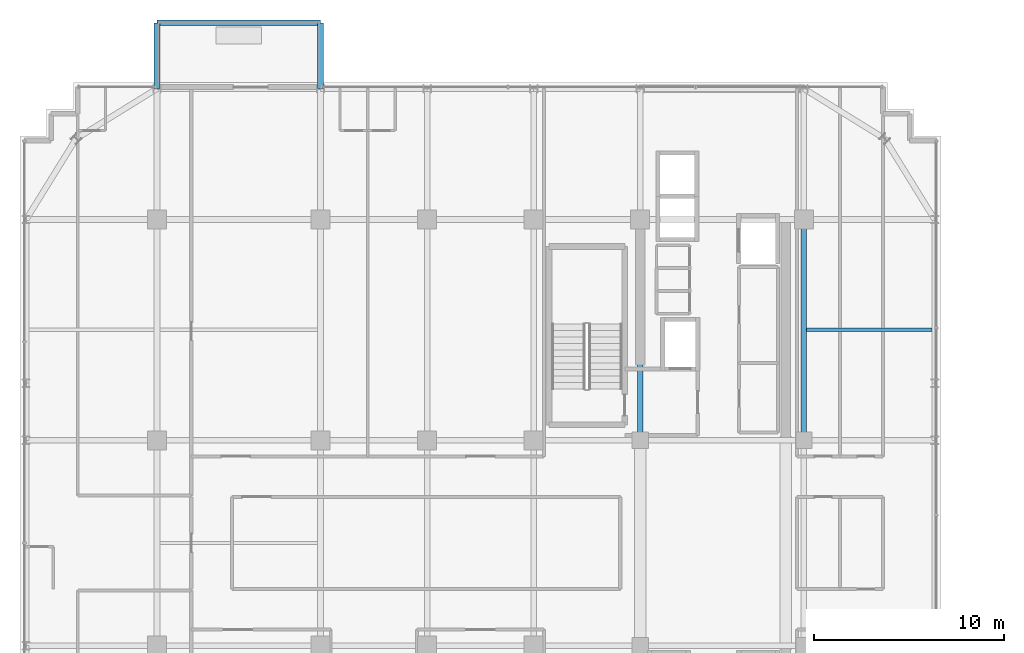
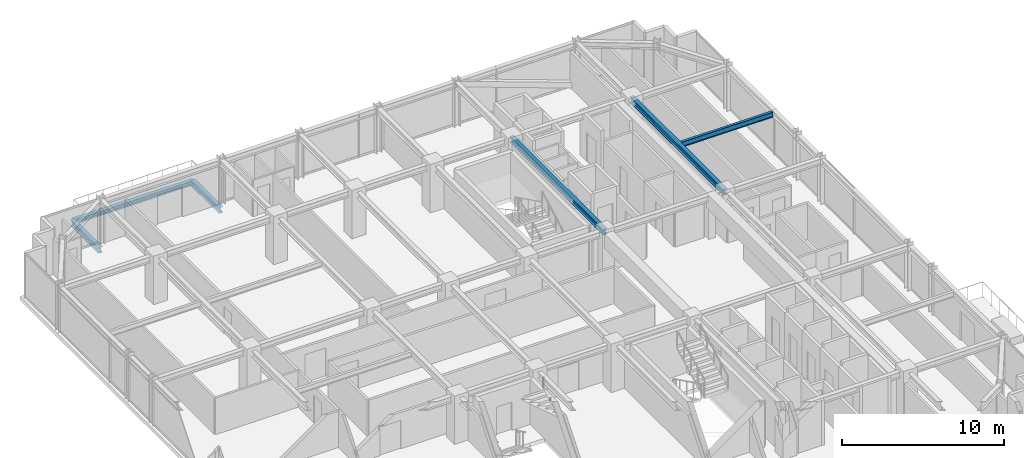
# One storey, part 24 of 36: 6 beams.
"""IFC4 building model written with IfcOpenShell, lengths in metres."""

from ifc_helpers import new_model, si_unit, direction, frame, origin, origin_2d, place, context, subcontext, project, spatial, i_section, extrude, source, transform, mapped, material, material_profile, profile_set, type_object, element, save


model = new_model("IFC4")

# Units and contexts
model_context = context("Model", 3, precision=1e-05, world=origin(), true_north=direction((0.0, 1.0)))
body_context = subcontext(model_context, "Body", "Model", "MODEL_VIEW")
ifc_project = project(units=[si_unit("LENGTHUNIT", "METRE"), si_unit("AREAUNIT", "SQUARE_METRE"), si_unit("VOLUMEUNIT", "CUBIC_METRE"), si_unit("PLANEANGLEUNIT", "RADIAN"), si_unit("MASSUNIT", "GRAM", prefix="KILO")], contexts=[model_context])

# Site, building, storey
site_placement = place(None, origin())
site = spatial("IfcSite", under=ifc_project, at=site_placement, CompositionType="ELEMENT")
building_placement = place(site_placement, origin())
building = spatial("IfcBuilding", under=site, at=building_placement, Name="Nahalor Promenade Grand Hotel", CompositionType="ELEMENT")
storey_placement = place(building_placement, frame((0.0, 0.0, 234.5)))
storey = spatial("IfcBuildingStorey", under=building, at=storey_placement, Name="L60", CompositionType="ELEMENT", Elevation=234.5)

# Beams
ifc_material = material(Name="Steel S355JR", Category="steel")
ifc_material_profile_1 = material_profile(ifc_material, i_section(OverallWidth=0.3, OverallDepth=0.32, WebThickness=0.0115, FlangeThickness=0.0205, at=origin_2d()), Name="HEB 320")
ifc_profile_set_1 = profile_set([ifc_material_profile_1], Name="Steel S355JR")
beam_type_1 = type_object("IfcBeamType", Name="Beam-BalcEdge-HEB320", PredefinedType="SPANDREL", material=ifc_profile_set_1)
shared_shape_1 = source(origin(), body_context, "Body", "SweptSolid", [
    extrude(i_section(OverallWidth=0.3, OverallDepth=0.32, WebThickness=0.0115, FlangeThickness=0.0205, at=origin_2d()), origin(), (0.0, 0.0, 1.0), 8.60009765625),
])
beam_1_placement = place(storey_placement, frame((-17.0, 27.340087890625, -0.43994140625), z_axis=(1.0, 0.0, 0.0), x_axis=(0.0, 1.0, 0.0)))
element("IfcBeam", 1, at=beam_1_placement, inside=storey, type_object=beam_type_1, Name="BM-L60-BC-01-F", PredefinedType="SPANDREL", context=body_context, shape_type="MappedRepresentation", body=[
    mapped(shared_shape_1, transform((0.0, 0.0, 0.0), scale=1.0)),
])
ifc_material_profile_2 = material_profile(ifc_material, i_section(OverallWidth=0.3, OverallDepth=0.45, WebThickness=0.014, FlangeThickness=0.026, at=origin_2d()), Name="HEB 450")
ifc_profile_set_2 = profile_set([ifc_material_profile_2], Name="Steel S355JR")
beam_type_2 = type_object("IfcBeamType", Name="Beam-Outrigger-HEB450", PredefinedType="BEAM", material=ifc_profile_set_2)
shared_shape_2 = source(origin(), body_context, "Body", "SweptSolid", [
    extrude(i_section(OverallWidth=0.3, OverallDepth=0.45, WebThickness=0.014, FlangeThickness=0.026, at=origin_2d()), origin(), (0.0, 0.0, 1.0), 3.460205078125),
])
for number, where, z_axis, x_axis, name in (
    (2, (-17.0, 23.8798828125, -0.5048828125), (0.0, 1.0, 0.0), (-1.0, 0.0, 0.0), "BM-L60-BC-01-1"),
    (3, (-8.39990234375, 23.8798828125, -0.5048828125), (0.0, 1.0, 0.0), (-1.0, 0.0, 0.0), "BM-L60-BC-01-2"),
):
    element("IfcBeam", number, at=place(storey_placement, frame(where, z_axis=z_axis, x_axis=x_axis)), inside=storey, type_object=beam_type_2, Name=name, PredefinedType="BEAM", context=body_context, shape_type="MappedRepresentation", body=[
        mapped(shared_shape_2, transform((0.0, 0.0, 0.0), scale=1.0)),
    ])
ifc_material_profile_3 = material_profile(ifc_material, i_section(OverallWidth=0.3, OverallDepth=0.45, WebThickness=0.014, FlangeThickness=0.026, at=origin_2d()), Name="HEB 450")
ifc_profile_set_3 = profile_set([ifc_material_profile_3], Name="Steel S355JR")
beam_type_3 = type_object("IfcBeamType", Name="Beam-Girder-HEB450", PredefinedType="BEAM", material=ifc_profile_set_3)
shared_shape_3 = source(origin(), body_context, "Body", "SweptSolid", [
    extrude(i_section(OverallWidth=0.3, OverallDepth=0.45, WebThickness=0.014, FlangeThickness=0.026, at=origin_2d()), origin(), (0.0, 0.0, 1.0), 11.60009765625),
])
for number, where, z_axis, x_axis, name in (
    (4, (8.39990234375, 5.39990234375, 3.18505859375), (0.0, 1.0, 0.0), (-1.0, 0.0, 0.0), "BM-L60-GY-4-3"),
    (5, (17.0, 5.39990234375, 3.18505859375), (0.0, 1.0, 0.0), (-1.0, 0.0, 0.0), "BM-L60-GY-5-3"),
):
    element("IfcBeam", number, at=place(storey_placement, frame(where, z_axis=z_axis, x_axis=x_axis)), inside=storey, type_object=beam_type_3, Name=name, PredefinedType="BEAM", context=body_context, shape_type="MappedRepresentation", body=[
        mapped(shared_shape_3, transform((0.0, 0.0, 0.0), scale=1.0)),
    ])
ifc_material_profile_4 = material_profile(ifc_material, i_section(OverallWidth=0.18, OverallDepth=0.4, WebThickness=0.0086, FlangeThickness=0.0135, at=origin_2d()), Name="IPE 400")
ifc_profile_set_4 = profile_set([ifc_material_profile_4], Name="Steel S355JR")
beam_type_4 = type_object("IfcBeamType", Name="Beam-Joist-IPE400", PredefinedType="JOIST", material=ifc_profile_set_4)
shared_shape_4 = source(origin(), body_context, "Body", "SweptSolid", [
    extrude(i_section(OverallWidth=0.18, OverallDepth=0.4, WebThickness=0.0086, FlangeThickness=0.0135, at=origin_2d()), origin(), (0.0, 0.0, 1.0), 6.580078125),
])
beam_2_placement = place(storey_placement, frame((17.14990234375, 11.199951171875, 3.2099609375), z_axis=(1.0, 0.0, 0.0), x_axis=(0.0, 1.0, 0.0)))
element("IfcBeam", 6, at=beam_2_placement, inside=storey, type_object=beam_type_4, Name="BM-L60-JSE-1-2", PredefinedType="JOIST", context=body_context, shape_type="MappedRepresentation", body=[
    mapped(shared_shape_4, transform((0.0, 0.0, 0.0), scale=1.0)),
])

save(model, "model.ifc")
